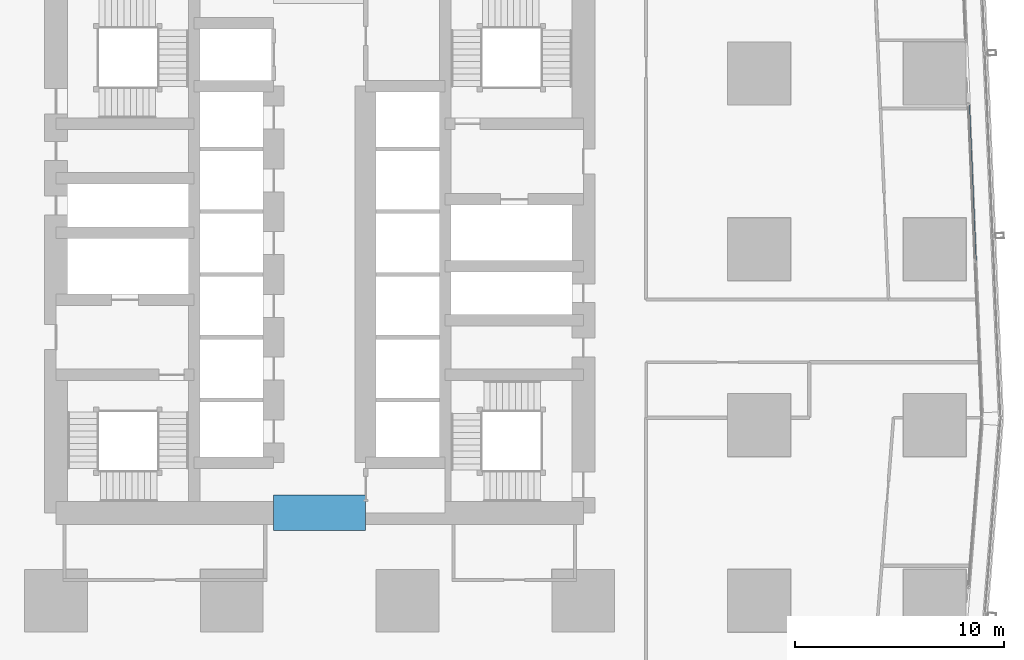
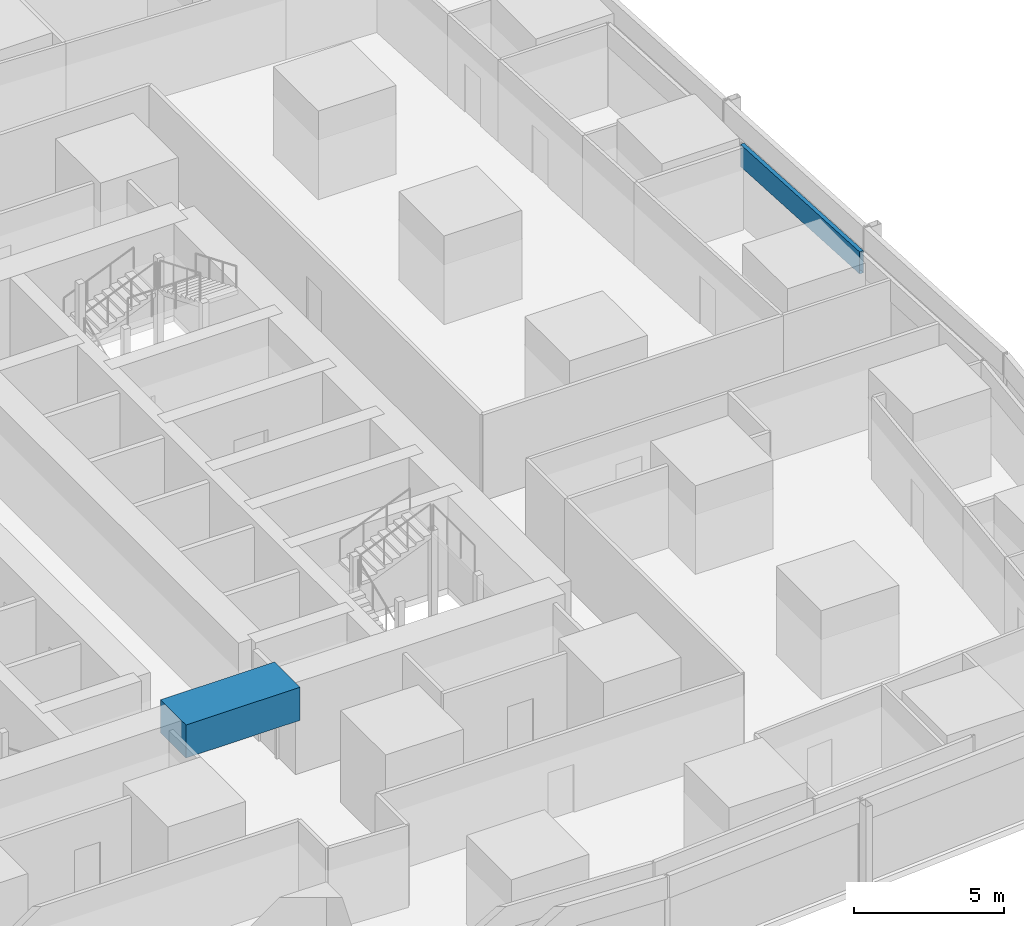
# One storey, part 13 of 45: 1 beam, 1 member, 1 element without a shape of its own.
"""IFC4 building model written with IfcOpenShell, lengths in metres."""

from ifc_helpers import new_model, si_unit, direction, frame, origin, origin_2d, place, context, subcontext, project, spatial, rectangle, hollow_rectangle, extrude, material, material_profile, profile_set, type_object, element, aggregate, save


model = new_model("IFC4")

# Units and contexts
model_context = context("Model", 3, precision=1e-05, world=origin(), true_north=direction((0.0, 1.0)))
body_context = subcontext(model_context, "Body", "Model", "MODEL_VIEW")
ifc_project = project(units=[si_unit("LENGTHUNIT", "METRE"), si_unit("AREAUNIT", "SQUARE_METRE"), si_unit("VOLUMEUNIT", "CUBIC_METRE"), si_unit("PLANEANGLEUNIT", "RADIAN"), si_unit("MASSUNIT", "GRAM", prefix="KILO")], contexts=[model_context])

# Site, building, storey
site_placement = place(None, origin())
site = spatial("IfcSite", under=ifc_project, at=site_placement, CompositionType="ELEMENT")
building_placement = place(site_placement, origin())
building = spatial("IfcBuilding", under=site, at=building_placement, Name="Rekha Terrace Tower", CompositionType="ELEMENT")
storey_placement = place(building_placement, frame((0.0, 0.0, 77.89990234375)))
storey = spatial("IfcBuildingStorey", under=building, at=storey_placement, Name="L19", CompositionType="ELEMENT", Elevation=77.89990234375)

# Curtain wall, member
ifc_material_1 = material(Name="Aluminium framing", Category="aluminium")
curtain_wall_type = type_object("IfcCurtainWallType", Name="CW1 double skin inner glazing", PredefinedType="USERDEFINED", material=ifc_material_1)
curtain_wall_placement = place(storey_placement, origin())
curtain_wall = element("IfcCurtainWall", 1, at=curtain_wall_placement, inside=storey, type_object=curtain_wall_type, Name="CW1 double skin inner glazing", ObjectType="DOUBLE SKIN INNER GLAZING", PredefinedType="USERDEFINED")
ifc_material_2 = material(Name="Insulated aluminium spandrel box", Category="aluminium")
ifc_material_profile_1 = material_profile(ifc_material_2, hollow_rectangle(XDim=0.14990234375, YDim=0.89990234375, WallThickness=0.0029296875, at=origin_2d()), Name="AL SPANDREL BOX 150x900")
ifc_profile_set_1 = profile_set([ifc_material_profile_1], Name="Insulated aluminium spandrel box")
member_type = type_object("IfcMemberType", Name="CW1 spandrel transom 150 x 900", PredefinedType="USERDEFINED", material=ifc_profile_set_1)
member_placement = place(storey_placement, frame((69.115478515625, 33.068359375, 3.050048828125), z_axis=(-0.042673914626, 0.999089053594, 0.0), x_axis=(-0.999089053594, -0.042673914626, 0.0)))
member = element("IfcMember", 2, at=member_placement, type_object=member_type, Name="CW1 spandrel transom 2", ObjectType="TRANSOM", PredefinedType="USERDEFINED", context=body_context, shape_type="SweptSolid", body=[
    extrude(hollow_rectangle(XDim=0.14990234375, YDim=0.89990234375, WallThickness=0.0029296875, at=origin_2d()), origin(), (0.0, 0.0, 1.0), 7.426025390625),
])
aggregate(curtain_wall, [member])

# Beam
ifc_material_3 = material(Name="Concrete M70", Category="concrete")
ifc_material_profile_2 = material_profile(ifc_material_3, rectangle(XDim=1.699951171875, YDim=1.35009765625, at=origin_2d()), Name="RC 1700x1350")
ifc_profile_set_2 = profile_set([ifc_material_profile_2], Name="Concrete M70")
beam_type = type_object("IfcBeamType", Name="LB1A 1700x1350 diagonally reinforced coupling beam", PredefinedType="LINTEL", material=ifc_profile_set_2)
beam_placement = place(storey_placement, frame((35.60009765625, 21.0, 3.0751953125), z_axis=(1.0, 0.0, 0.0), x_axis=(0.0, 1.0, 0.0)))
element("IfcBeam", 3, at=beam_placement, inside=storey, type_object=beam_type, Name="Coupling beam LB1A S L19", PredefinedType="LINTEL", context=body_context, shape_type="SweptSolid", body=[
    extrude(rectangle(XDim=1.699951171875, YDim=1.35009765625, at=origin_2d()), origin(), (0.0, 0.0, 1.0), 4.39990234375),
])

save(model, "model.ifc")
